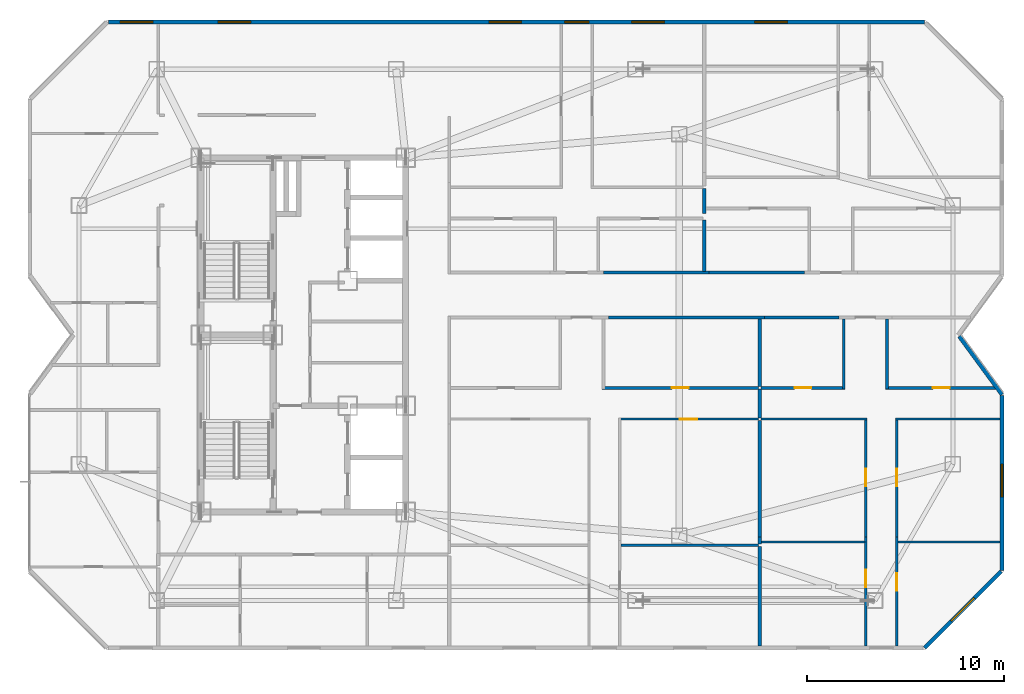
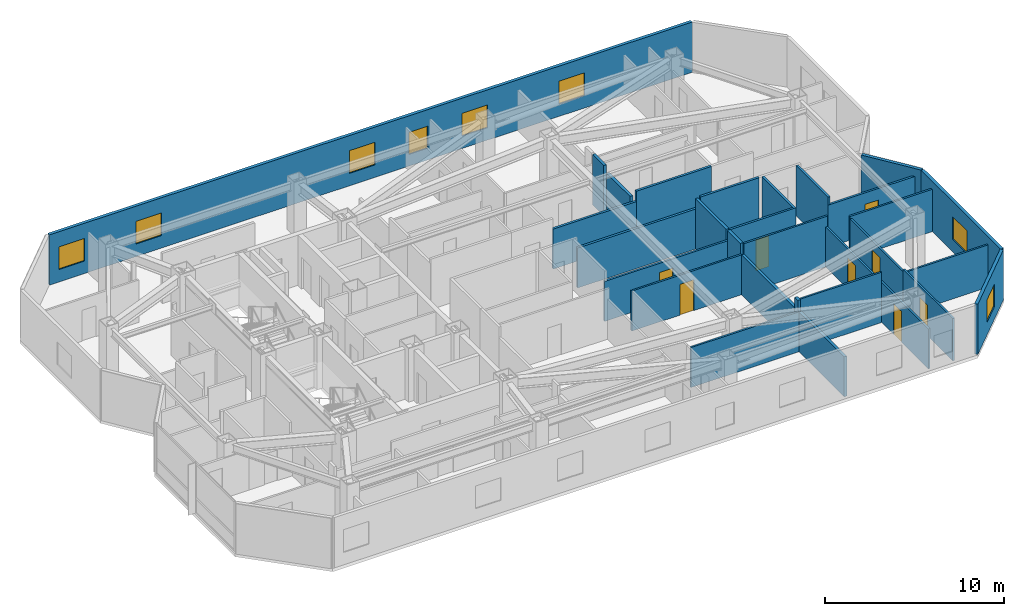
# One storey, part 11 of 14: 30 walls, 8 doors, 8 windows, 16 openings.
"""IFC4 building model written with IfcOpenShell, lengths in metres."""

from ifc_helpers import new_model, si_unit, direction, frame, frame_2d, origin, place, context, subcontext, project, spatial, rectangle, extrude, material, layer, layer_set, type_object, element, fill, save


model = new_model("IFC4")

# Units and contexts
model_context = context("Model", 3, precision=1e-05, world=origin(), true_north=direction((0.0, 1.0)))
body_context = subcontext(model_context, "Body", "Model", "MODEL_VIEW")
ifc_project = project(units=[si_unit("LENGTHUNIT", "METRE"), si_unit("AREAUNIT", "SQUARE_METRE"), si_unit("VOLUMEUNIT", "CUBIC_METRE"), si_unit("PLANEANGLEUNIT", "RADIAN"), si_unit("MASSUNIT", "GRAM", prefix="KILO")], contexts=[model_context])

# Site, building, storey
site_placement = place(None, origin())
site = spatial("IfcSite", under=ifc_project, at=site_placement, CompositionType="ELEMENT")
building_placement = place(site_placement, origin())
building = spatial("IfcBuilding", under=site, at=building_placement, Name="Khamvora Tower", CompositionType="ELEMENT")
storey_placement = place(building_placement, frame((0.0, 0.0, 242.75)))
storey = spatial("IfcBuildingStorey", under=building, at=storey_placement, Name="L62", CompositionType="ELEMENT", Elevation=242.75)

# Walls
ifc_material_1 = material(Name="Fire-Rated Drywall and Steel Stud", Category="steel")
ifc_layer_1 = layer(ifc_material_1, 0.14990234375)
ifc_layer_set_1 = layer_set([ifc_layer_1], Name="Fire-Rated Drywall and Steel Stud")
wall_type_1 = type_object("IfcWallType", Name="WAL-CORR-150", PredefinedType="STANDARD", material=ifc_layer_set_1)
wall_1_placement = place(storey_placement, frame((57.634033203125, 28.885009765625, 0.0), z_axis=(0.0, 0.0, 1.0), x_axis=(-1.0, 0.0, 0.0)))
element("IfcWall", 1, at=wall_1_placement, inside=storey, type_object=wall_type_1, Name="L62 interior partition wall 024", PredefinedType="STANDARD", context=body_context, shape_type="SweptSolid", body=[
    extrude(rectangle(XDim=7.93505859375, YDim=0.14990234375, at=frame_2d((3.967529296875, 0.0))), origin(), (0.0, 0.0, 1.0), 2.72509765625),
])
wall_2_placement = place(storey_placement, frame((61.407958984375, 28.885009765625, 0.0), z_axis=(0.0, 0.0, 1.0), x_axis=(-1.0, 0.0, 0.0)))
element("IfcWall", 2, at=wall_2_placement, inside=storey, type_object=wall_type_1, Name="L62 interior partition wall 028", PredefinedType="STANDARD", context=body_context, shape_type="SweptSolid", body=[
    extrude(rectangle(XDim=3.77392578125, YDim=0.14990234375, at=frame_2d((1.886962890625, 0.0))), origin(), (0.0, 0.0, 1.0), 3.429931640625),
])
wall_3_placement = place(storey_placement, frame((49.43896484375, 31.1650390625, 0.0), z_axis=(0.0, 0.0, 1.0), x_axis=(1.0, 0.0, 0.0)))
element("IfcWall", 3, at=wall_3_placement, inside=storey, type_object=wall_type_1, Name="L62 interior partition wall 034", PredefinedType="STANDARD", context=body_context, shape_type="SweptSolid", body=[
    extrude(rectangle(XDim=5.375, YDim=0.14990234375, at=frame_2d((2.6875, 0.0))), origin(), (0.0, 0.0, 1.0), 2.72509765625),
])
wall_4_placement = place(storey_placement, frame((54.81396484375, 31.1650390625, 0.0), z_axis=(0.0, 0.0, 1.0), x_axis=(1.0, 0.0, 0.0)))
element("IfcWall", 4, at=wall_4_placement, inside=storey, type_object=wall_type_1, Name="L62 interior partition wall 037", PredefinedType="STANDARD", context=body_context, shape_type="SweptSolid", body=[
    extrude(rectangle(XDim=4.846923828125, YDim=0.14990234375, at=frame_2d((2.42333984375, 0.0))), origin(), (0.0, 0.0, 1.0), 3.429931640625),
])
ifc_material_2 = material(Name="Acoustic Double-Stud Fire Wall", Category="gypsum")
ifc_layer_2 = layer(ifc_material_2, 0.179931640625)
ifc_layer_set_2 = layer_set([ifc_layer_2], Name="Acoustic Double-Stud Fire Wall")
wall_type_2 = type_object("IfcWallType", Name="WAL-CORR-180", PredefinedType="STANDARD", material=ifc_layer_set_2)
wall_5_placement = place(storey_placement, frame((57.385009765625, 25.239990234375, 0.0), z_axis=(0.0, 0.0, 1.0), x_axis=(0.0, -1.0, 0.0)))
element("IfcWall", 5, at=wall_5_placement, inside=storey, type_object=wall_type_2, Name="L62 interior partition wall 067", PredefinedType="STANDARD", context=body_context, shape_type="SweptSolid", body=[
    extrude(rectangle(XDim=1.449951171875, YDim=0.179931640625, at=frame_2d((0.72509765625, 0.0))), origin(), (0.0, 0.0, 1.0), 3.429931640625),
])
wall_6_placement = place(storey_placement, frame((57.385009765625, 28.820068359375, 0.0), z_axis=(0.0, 0.0, 1.0), x_axis=(0.0, -1.0, 0.0)))
element("IfcWall", 6, at=wall_6_placement, inside=storey, type_object=wall_type_2, Name="L62 interior partition wall 068", PredefinedType="STANDARD", context=body_context, shape_type="SweptSolid", body=[
    extrude(rectangle(XDim=3.449951171875, YDim=0.179931640625, at=frame_2d((1.72509765625, 0.0))), origin(), (0.0, 0.0, 1.0), 3.429931640625),
])
wall_7_placement = place(storey_placement, frame((57.385009765625, 17.248046875, 0.0), z_axis=(0.0, 0.0, 1.0), x_axis=(0.0, -1.0, 0.0)))
element("IfcWall", 7, at=wall_7_placement, inside=storey, type_object=wall_type_2, Name="L62 interior partition wall 071", PredefinedType="STANDARD", context=body_context, shape_type="SweptSolid", body=[
    extrude(rectangle(XDim=5.05615234375, YDim=0.179931640625, at=frame_2d((2.528076171875, 0.0))), origin(), (0.0, 0.0, 1.0), 2.72509765625),
])
wall_8_placement = place(storey_placement, frame((57.385009765625, 17.72412109375, 0.0), z_axis=(0.0, 0.0, 1.0), x_axis=(0.0, -1.0, 0.0)))
element("IfcWall", 8, at=wall_8_placement, inside=storey, type_object=wall_type_2, Name="L62 interior partition wall 072", PredefinedType="STANDARD", context=body_context, shape_type="SweptSolid", body=[
    extrude(rectangle(XDim=0.34619140625, YDim=0.179931640625, at=frame_2d((0.173095703125, 0.0))), origin(), (0.0, 0.0, 1.0), 3.429931640625),
])
wall_9_placement = place(storey_placement, frame((57.385009765625, 23.659912109375, 0.0), z_axis=(0.0, 0.0, 1.0), x_axis=(0.0, -1.0, 0.0)))
element("IfcWall", 9, at=wall_9_placement, inside=storey, type_object=wall_type_2, Name="L62 interior partition wall 073", PredefinedType="STANDARD", context=body_context, shape_type="SweptSolid", body=[
    extrude(rectangle(XDim=5.935791015625, YDim=0.179931640625, at=frame_2d((2.9677734375, 0.0))), origin(), (0.0, 0.0, 1.0), 2.72509765625),
])
wall_10_placement = place(storey_placement, frame((54.56494140625, 35.428955078125, 0.0), z_axis=(0.0, 0.0, 1.0), x_axis=(0.0, -1.0, 0.0)))
element("IfcWall", 10, at=wall_10_placement, inside=storey, type_object=wall_type_2, Name="L62 interior partition wall 094", PredefinedType="STANDARD", context=body_context, shape_type="SweptSolid", body=[
    extrude(rectangle(XDim=1.25390625, YDim=0.179931640625, at=frame_2d((0.626953125, 0.0))), origin(), (0.0, 0.0, 1.0), 3.429931640625),
])
wall_11_placement = place(storey_placement, frame((54.56494140625, 33.84912109375, 0.0), z_axis=(0.0, 0.0, 1.0), x_axis=(0.0, -1.0, 0.0)))
element("IfcWall", 11, at=wall_11_placement, inside=storey, type_object=wall_type_2, Name="L62 interior partition wall 095", PredefinedType="STANDARD", context=body_context, shape_type="SweptSolid", body=[
    extrude(rectangle(XDim=2.619140625, YDim=0.179931640625, at=frame_2d((1.3095703125, 0.0))), origin(), (0.0, 0.0, 1.0), 3.10693359375),
])

# Wall, openings, windows
ifc_material_3 = material(Name="Precast concrete C40/50", Category="concrete")
ifc_layer_3 = layer(ifc_material_3, 0.199951171875)
ifc_layer_set_3 = layer_set([ifc_layer_3], Name="Precast concrete C40/50")
wall_type_3 = type_object("IfcWallType", Name="WAL-EXT-200", PredefinedType="STANDARD", material=ifc_layer_set_3)
wall_12_placement = place(storey_placement, frame((24.302001953125, 43.89990234375, 0.0), z_axis=(0.0, 0.0, 1.0), x_axis=(1.0, 0.0, 0.0)))
wall_12 = element("IfcWall", 12, at=wall_12_placement, inside=storey, type_object=wall_type_3, Name="L62 exterior facade wall 07.1", PredefinedType="STANDARD", context=body_context, shape_type="SweptSolid", body=[
    extrude(rectangle(XDim=41.45703125, YDim=0.199951171875, at=frame_2d((20.728515625, 0.0))), origin(), (0.0, 0.0, 1.0), 3.429931640625),
])
opening_1_placement = place(wall_12_placement, frame((5.572998046875, 0.0, 0.85009765625)))
opening_1 = element("IfcOpeningElement", 13, at=opening_1_placement, cuts=wall_12, Name="Opening WN-06", PredefinedType="OPENING", context=body_context, shape_type="SweptSolid", body=[
    extrude(rectangle(XDim=1.64990234375, YDim=1.550048828125, at=frame_2d((0.824951171875, 0.77490234375))), frame((0.0, 0.10986328125, 0.0), z_axis=(0.0, -1.0, 0.0), x_axis=(1.0, 0.0, 0.0)), (0.0, 0.0, 1.0), 0.219970703125),
])
opening_2_placement = place(wall_12_placement, frame((0.60400390625, 0.0, 0.85009765625)))
opening_2 = element("IfcOpeningElement", 14, at=opening_2_placement, cuts=wall_12, Name="Opening WN-06", PredefinedType="OPENING", context=body_context, shape_type="SweptSolid", body=[
    extrude(rectangle(XDim=1.64990234375, YDim=1.550048828125, at=frame_2d((0.824951171875, 0.77490234375))), frame((0.0, 0.10986328125, 0.0), z_axis=(0.0, -1.0, 0.0), x_axis=(1.0, 0.0, 0.0)), (0.0, 0.0, 1.0), 0.219970703125),
])
opening_3_placement = place(wall_12_placement, frame((23.18798828125, 0.0, 0.800048828125)))
opening_3 = element("IfcOpeningElement", 15, at=opening_3_placement, cuts=wall_12, Name="Opening WN-03", PredefinedType="OPENING", context=body_context, shape_type="SweptSolid", body=[
    extrude(rectangle(XDim=1.199951171875, YDim=1.5, at=frame_2d((0.60009765625, 0.75))), frame((0.0, 0.10986328125, 0.0), z_axis=(0.0, -1.0, 0.0), x_axis=(1.0, 0.0, 0.0)), (0.0, 0.0, 1.0), 0.219970703125),
])
opening_4_placement = place(wall_12_placement, frame((19.3330078125, 0.0, 0.85009765625)))
opening_4 = element("IfcOpeningElement", 16, at=opening_4_placement, cuts=wall_12, Name="Opening WN-06", PredefinedType="OPENING", context=body_context, shape_type="SweptSolid", body=[
    extrude(rectangle(XDim=1.64990234375, YDim=1.550048828125, at=frame_2d((0.824951171875, 0.77490234375))), frame((0.0, 0.10986328125, 0.0), z_axis=(0.0, -1.0, 0.0), x_axis=(1.0, 0.0, 0.0)), (0.0, 0.0, 1.0), 0.219970703125),
])
opening_5_placement = place(wall_12_placement, frame((26.593017578125, 0.0, 0.85009765625)))
opening_5 = element("IfcOpeningElement", 17, at=opening_5_placement, cuts=wall_12, Name="Opening WN-06", PredefinedType="OPENING", context=body_context, shape_type="SweptSolid", body=[
    extrude(rectangle(XDim=1.64990234375, YDim=1.550048828125, at=frame_2d((0.824951171875, 0.77490234375))), frame((0.0, 0.10986328125, 0.0), z_axis=(0.0, -1.0, 0.0), x_axis=(1.0, 0.0, 0.0)), (0.0, 0.0, 1.0), 0.219970703125),
])
opening_6_placement = place(wall_12_placement, frame((32.843017578125, 0.0, 0.85009765625)))
opening_6 = element("IfcOpeningElement", 18, at=opening_6_placement, cuts=wall_12, Name="Opening WN-06", PredefinedType="OPENING", context=body_context, shape_type="SweptSolid", body=[
    extrude(rectangle(XDim=1.64990234375, YDim=1.550048828125, at=frame_2d((0.824951171875, 0.77490234375))), frame((0.0, 0.10986328125, 0.0), z_axis=(0.0, -1.0, 0.0), x_axis=(1.0, 0.0, 0.0)), (0.0, 0.0, 1.0), 0.219970703125),
])
ifc_material_4 = material(Name="Low-E Laminated Double Glazing", Category="glass")
window_type_1 = type_object("IfcWindowType", Name="WIN-VIS-1200x1500", PartitioningType="SINGLE_PANEL", PredefinedType="WINDOW", material=ifc_material_4)
window_1_placement = place(opening_3_placement, origin())
window_1 = element("IfcWindow", 19, at=window_1_placement, inside=storey, type_object=window_type_1, Name="L62 vision window 07.1.03", OverallHeight=1.5, OverallWidth=1.199951171875, PartitioningType="SINGLE_PANEL", PredefinedType="WINDOW", context=body_context, shape_type="SweptSolid", body=[
    extrude(rectangle(XDim=1.199951171875, YDim=1.5, at=frame_2d((0.60009765625, 0.75))), frame((0.0, 0.030029296875, 0.0), z_axis=(0.0, -1.0, 0.0), x_axis=(1.0, 0.0, 0.0)), (0.0, 0.0, 1.0), 0.06005859375),
])
fill(opening_3, window_1)
window_type_2 = type_object("IfcWindowType", Name="WIN-VIS-1650x1550", PartitioningType="SINGLE_PANEL", PredefinedType="WINDOW", material=ifc_material_4)
window_2_placement = place(opening_1_placement, origin())
window_2 = element("IfcWindow", 20, at=window_2_placement, inside=storey, type_object=window_type_2, Name="L62 vision window 07.1.01", OverallHeight=1.550048828125, OverallWidth=1.64990234375, PartitioningType="SINGLE_PANEL", PredefinedType="WINDOW", context=body_context, shape_type="SweptSolid", body=[
    extrude(rectangle(XDim=1.64990234375, YDim=1.550048828125, at=frame_2d((0.824951171875, 0.77490234375))), frame((0.0, 0.030029296875, 0.0), z_axis=(0.0, -1.0, 0.0), x_axis=(1.0, 0.0, 0.0)), (0.0, 0.0, 1.0), 0.06005859375),
])
fill(opening_1, window_2)
window_3_placement = place(opening_2_placement, origin())
window_3 = element("IfcWindow", 21, at=window_3_placement, inside=storey, type_object=window_type_2, Name="L62 vision window 07.1.02", OverallHeight=1.550048828125, OverallWidth=1.64990234375, PartitioningType="SINGLE_PANEL", PredefinedType="WINDOW", context=body_context, shape_type="SweptSolid", body=[
    extrude(rectangle(XDim=1.64990234375, YDim=1.550048828125, at=frame_2d((0.824951171875, 0.77490234375))), frame((0.0, 0.030029296875, 0.0), z_axis=(0.0, -1.0, 0.0), x_axis=(1.0, 0.0, 0.0)), (0.0, 0.0, 1.0), 0.06005859375),
])
fill(opening_2, window_3)
window_4_placement = place(opening_4_placement, origin())
window_4 = element("IfcWindow", 22, at=window_4_placement, inside=storey, type_object=window_type_2, Name="L62 vision window 07.1.04", OverallHeight=1.550048828125, OverallWidth=1.64990234375, PartitioningType="SINGLE_PANEL", PredefinedType="WINDOW", context=body_context, shape_type="SweptSolid", body=[
    extrude(rectangle(XDim=1.64990234375, YDim=1.550048828125, at=frame_2d((0.824951171875, 0.77490234375))), frame((0.0, 0.030029296875, 0.0), z_axis=(0.0, -1.0, 0.0), x_axis=(1.0, 0.0, 0.0)), (0.0, 0.0, 1.0), 0.06005859375),
])
fill(opening_4, window_4)
window_5_placement = place(opening_5_placement, origin())
window_5 = element("IfcWindow", 23, at=window_5_placement, inside=storey, type_object=window_type_2, Name="L62 vision window 07.1.05", OverallHeight=1.550048828125, OverallWidth=1.64990234375, PartitioningType="SINGLE_PANEL", PredefinedType="WINDOW", context=body_context, shape_type="SweptSolid", body=[
    extrude(rectangle(XDim=1.64990234375, YDim=1.550048828125, at=frame_2d((0.824951171875, 0.77490234375))), frame((0.0, 0.030029296875, 0.0), z_axis=(0.0, -1.0, 0.0), x_axis=(1.0, 0.0, 0.0)), (0.0, 0.0, 1.0), 0.06005859375),
])
fill(opening_5, window_5)
window_6_placement = place(opening_6_placement, origin())
window_6 = element("IfcWindow", 24, at=window_6_placement, inside=storey, type_object=window_type_2, Name="L62 vision window 07.1.06", OverallHeight=1.550048828125, OverallWidth=1.64990234375, PartitioningType="SINGLE_PANEL", PredefinedType="WINDOW", context=body_context, shape_type="SweptSolid", body=[
    extrude(rectangle(XDim=1.64990234375, YDim=1.550048828125, at=frame_2d((0.824951171875, 0.77490234375))), frame((0.0, 0.030029296875, 0.0), z_axis=(0.0, -1.0, 0.0), x_axis=(1.0, 0.0, 0.0)), (0.0, 0.0, 1.0), 0.06005859375),
])
fill(opening_6, window_6)

# Wall
wall_13_placement = place(storey_placement, frame((67.527099609375, 27.930908203125, 0.0), z_axis=(0.0, 0.0, 1.0), x_axis=(0.591248456881, -0.80648946815, 0.0)))
element("IfcWall", 25, at=wall_13_placement, inside=storey, type_object=wall_type_3, Name="L62 exterior facade wall 11.1", PredefinedType="STANDARD", context=body_context, shape_type="SweptSolid", body=[
    extrude(rectangle(XDim=3.675048828125, YDim=0.199951171875, at=frame_2d((1.83740234375, 0.0))), origin(), (0.0, 0.0, 1.0), 3.429931640625),
])

# Wall, opening, window
wall_14_placement = place(storey_placement, frame((69.699951171875, 24.916015625, 0.0), z_axis=(0.0, 0.0, 1.0), x_axis=(0.0, -1.0, 0.0)))
wall_14 = element("IfcWall", 26, at=wall_14_placement, inside=storey, type_object=wall_type_3, Name="L62 exterior facade wall 12.1", PredefinedType="STANDARD", context=body_context, shape_type="SweptSolid", body=[
    extrude(rectangle(XDim=8.875, YDim=0.199951171875, at=frame_2d((4.4375, 0.0))), origin(), (0.0, 0.0, 1.0), 3.429931640625),
])
opening_7_placement = place(wall_14_placement, frame((3.490966796875, 0.0, 0.85009765625)))
opening_7 = element("IfcOpeningElement", 27, at=opening_7_placement, cuts=wall_14, Name="Opening WN-06", PredefinedType="OPENING", context=body_context, shape_type="SweptSolid", body=[
    extrude(rectangle(XDim=1.64990234375, YDim=1.550048828125, at=frame_2d((0.824951171875, 0.77490234375))), frame((0.0, 0.10986328125, 0.0), z_axis=(0.0, -1.0, 0.0), x_axis=(1.0, 0.0, 0.0)), (0.0, 0.0, 1.0), 0.219970703125),
])
window_7_placement = place(opening_7_placement, origin())
window_7 = element("IfcWindow", 28, at=window_7_placement, inside=storey, type_object=window_type_2, Name="L62 vision window 12.1.01", OverallHeight=1.550048828125, OverallWidth=1.64990234375, PartitioningType="SINGLE_PANEL", PredefinedType="WINDOW", context=body_context, shape_type="SweptSolid", body=[
    extrude(rectangle(XDim=1.64990234375, YDim=1.550048828125, at=frame_2d((0.824951171875, 0.77490234375))), frame((0.0, 0.030029296875, 0.0), z_axis=(0.0, -1.0, 0.0), x_axis=(1.0, 0.0, 0.0)), (0.0, 0.0, 1.0), 0.06005859375),
])
fill(opening_7, window_7)

wall_15_placement = place(storey_placement, frame((69.655029296875, 15.99609375, 0.0), z_axis=(0.0, 0.0, 1.0), x_axis=(-0.707106781187, -0.707106781187, 0.0)))
wall_15 = element("IfcWall", 29, at=wall_15_placement, inside=storey, type_object=wall_type_3, Name="L62 exterior facade wall 13.1", PredefinedType="STANDARD", context=body_context, shape_type="SweptSolid", body=[
    extrude(rectangle(XDim=5.509765625, YDim=0.199951171875, at=frame_2d((2.7548828125, 0.0))), origin(), (0.0, 0.0, 1.0), 3.429931640625),
])
opening_8_placement = place(wall_15_placement, frame((1.929931640625, 0.0, 0.85009765625)))
opening_8 = element("IfcOpeningElement", 30, at=opening_8_placement, cuts=wall_15, Name="Opening WN-06", PredefinedType="OPENING", context=body_context, shape_type="SweptSolid", body=[
    extrude(rectangle(XDim=1.64990234375, YDim=1.550048828125, at=frame_2d((0.824951171875, 0.77490234375))), frame((0.0, 0.10986328125, 0.0), z_axis=(0.0, -1.0, 0.0), x_axis=(1.0, 0.0, 0.0)), (0.0, 0.0, 1.0), 0.219970703125),
])
window_8_placement = place(opening_8_placement, origin())
window_8 = element("IfcWindow", 31, at=window_8_placement, inside=storey, type_object=window_type_2, Name="L62 vision window 13.1.01", OverallHeight=1.550048828125, OverallWidth=1.64990234375, PartitioningType="SINGLE_PANEL", PredefinedType="WINDOW", context=body_context, shape_type="SweptSolid", body=[
    extrude(rectangle(XDim=1.64990234375, YDim=1.550048828125, at=frame_2d((0.824951171875, 0.77490234375))), frame((0.0, 0.030029296875, 0.0), z_axis=(0.0, -1.0, 0.0), x_axis=(1.0, 0.0, 0.0)), (0.0, 0.0, 1.0), 0.06005859375),
])
fill(opening_8, window_8)

# Wall, opening, door
ifc_material_5 = material(Name="Gypsum Plasterboard Partition", Category="gypsum")
ifc_layer_4 = layer(ifc_material_5, 0.1201171875)
ifc_layer_set_4 = layer_set([ifc_layer_4], Name="Gypsum Plasterboard Partition")
wall_type_4 = type_object("IfcWallType", Name="WAL-PART-120", PredefinedType="PARTITIONING", material=ifc_layer_set_4)
wall_16_placement = place(storey_placement, frame((57.320068359375, 23.72509765625, 0.0), z_axis=(0.0, 0.0, 1.0), x_axis=(-1.0, 0.0, 0.0)))
wall_16 = element("IfcWall", 32, at=wall_16_placement, inside=storey, type_object=wall_type_4, Name="L62 interior partition wall 065", PredefinedType="PARTITIONING", context=body_context, shape_type="SweptSolid", body=[
    extrude(rectangle(XDim=7.10009765625, YDim=0.1201171875, at=frame_2d((3.550048828125, 0.0))), origin(), (0.0, 0.0, 1.0), 2.72509765625),
])
opening_9_placement = place(wall_16_placement, frame((3.10009765625, 0.0, 0.0)))
opening_9 = element("IfcOpeningElement", 33, at=opening_9_placement, cuts=wall_16, Name="Opening D-RM1", PredefinedType="OPENING", context=body_context, shape_type="SweptSolid", body=[
    extrude(rectangle(XDim=0.89990234375, YDim=2.10009765625, at=frame_2d((0.449951171875, 1.050048828125))), frame((0.0, 0.070068359375, 0.0), z_axis=(0.0, -1.0, 0.0), x_axis=(1.0, 0.0, 0.0)), (0.0, 0.0, 1.0), 0.14013671875),
])
ifc_material_6 = material(Name="Powder-Coated Steel and Hardwood Leaf", Category="steel")
door_type_1 = type_object("IfcDoorType", Name="DOR-ROOM-900", OperationType="NOTDEFINED", PredefinedType="DOOR", material=ifc_material_6)
door_1_placement = place(opening_9_placement, origin())
door_1 = element("IfcDoor", 34, at=door_1_placement, inside=storey, type_object=door_type_1, Name="L62 interior door 62EAH-62EAR4", OperationType="SINGLE_SWING_LEFT", OverallHeight=2.10009765625, OverallWidth=0.89990234375, PredefinedType="DOOR", context=body_context, shape_type="SweptSolid", body=[
    extrude(rectangle(XDim=0.89990234375, YDim=2.10009765625, at=frame_2d((0.449951171875, 1.050048828125))), frame((0.0, 0.02490234375, 0.0), z_axis=(0.0, -1.0, 0.0), x_axis=(1.0, 0.0, 0.0)), (0.0, 0.0, 1.0), 0.050048828125),
])
fill(opening_9, door_1)

# Wall
wall_17_placement = place(storey_placement, frame((50.339111328125, 17.31298828125, 0.0), z_axis=(0.0, 0.0, 1.0), x_axis=(1.0, 0.0, 0.0)))
element("IfcWall", 35, at=wall_17_placement, inside=storey, type_object=wall_type_4, Name="L62 interior partition wall 070", PredefinedType="PARTITIONING", context=body_context, shape_type="SweptSolid", body=[
    extrude(rectangle(XDim=6.98095703125, YDim=0.1201171875, at=frame_2d((3.490478515625, 0.0))), origin(), (0.0, 0.0, 1.0), 2.72509765625),
])

# Wall, opening, door
wall_18_placement = place(storey_placement, frame((62.784912109375, 12.19189453125, 0.0), z_axis=(0.0, 0.0, 1.0), x_axis=(0.0, 1.0, 0.0)))
wall_18 = element("IfcWall", 36, at=wall_18_placement, inside=storey, type_object=wall_type_4, Name="L62 interior partition wall 078", PredefinedType="PARTITIONING", context=body_context, shape_type="SweptSolid", body=[
    extrude(rectangle(XDim=5.5322265625, YDim=0.1201171875, at=frame_2d((2.76611328125, 0.0))), origin(), (0.0, 0.0, 1.0), 2.72509765625),
])
opening_10_placement = place(wall_18_placement, frame((2.97998046875, 0.0, 0.0)))
opening_10 = element("IfcOpeningElement", 37, at=opening_10_placement, cuts=wall_18, Name="Opening D-RM1", PredefinedType="OPENING", context=body_context, shape_type="SweptSolid", body=[
    extrude(rectangle(XDim=0.89990234375, YDim=2.10009765625, at=frame_2d((0.449951171875, 1.050048828125))), frame((0.0, 0.070068359375, 0.0), z_axis=(0.0, -1.0, 0.0), x_axis=(1.0, 0.0, 0.0)), (0.0, 0.0, 1.0), 0.14013671875),
])
door_2_placement = place(opening_10_placement, origin())
door_2 = element("IfcDoor", 38, at=door_2_placement, inside=storey, type_object=door_type_1, Name="L62 interior door 62EBH-62EBL", OperationType="SINGLE_SWING_RIGHT", OverallHeight=2.10009765625, OverallWidth=0.89990234375, PredefinedType="DOOR", context=body_context, shape_type="SweptSolid", body=[
    extrude(rectangle(XDim=0.89990234375, YDim=2.10009765625, at=frame_2d((0.449951171875, 1.050048828125))), frame((0.0, 0.02490234375, 0.0), z_axis=(0.0, -1.0, 0.0), x_axis=(1.0, 0.0, 0.0)), (0.0, 0.0, 1.0), 0.050048828125),
])
fill(opening_10, door_2)

wall_19_placement = place(storey_placement, frame((62.784912109375, 17.72412109375, 0.0), z_axis=(0.0, 0.0, 1.0), x_axis=(0.0, 1.0, 0.0)))
wall_19 = element("IfcWall", 39, at=wall_19_placement, inside=storey, type_object=wall_type_4, Name="L62 interior partition wall 079", PredefinedType="PARTITIONING", context=body_context, shape_type="SweptSolid", body=[
    extrude(rectangle(XDim=6.06591796875, YDim=0.1201171875, at=frame_2d((3.032958984375, 0.0))), origin(), (0.0, 0.0, 1.0), 2.72509765625),
])
opening_11_placement = place(wall_19_placement, frame((2.5830078125, 0.0, 0.0)))
opening_11 = element("IfcOpeningElement", 40, at=opening_11_placement, cuts=wall_19, Name="Opening D-RM1", PredefinedType="OPENING", context=body_context, shape_type="SweptSolid", body=[
    extrude(rectangle(XDim=0.89990234375, YDim=2.10009765625, at=frame_2d((0.449951171875, 1.050048828125))), frame((0.0, 0.070068359375, 0.0), z_axis=(0.0, -1.0, 0.0), x_axis=(1.0, 0.0, 0.0)), (0.0, 0.0, 1.0), 0.14013671875),
])
door_3_placement = place(opening_11_placement, origin())
door_3 = element("IfcDoor", 41, at=door_3_placement, inside=storey, type_object=door_type_1, Name="L62 interior door 62EBH-62EBR2", OperationType="SINGLE_SWING_LEFT", OverallHeight=2.10009765625, OverallWidth=0.89990234375, PredefinedType="DOOR", context=body_context, shape_type="SweptSolid", body=[
    extrude(rectangle(XDim=0.89990234375, YDim=2.10009765625, at=frame_2d((0.449951171875, 1.050048828125))), frame((0.0, 0.02490234375, 0.0), z_axis=(0.0, -1.0, 0.0), x_axis=(1.0, 0.0, 0.0)), (0.0, 0.0, 1.0), 0.050048828125),
])
fill(opening_11, door_3)

# Wall
wall_20_placement = place(storey_placement, frame((62.85009765625, 23.72509765625, 0.0), z_axis=(0.0, 0.0, 1.0), x_axis=(-1.0, 0.0, 0.0)))
element("IfcWall", 42, at=wall_20_placement, inside=storey, type_object=wall_type_4, Name="L62 interior partition wall 080", PredefinedType="PARTITIONING", context=body_context, shape_type="SweptSolid", body=[
    extrude(rectangle(XDim=5.400146484375, YDim=0.1201171875, at=frame_2d((2.7001953125, 0.0))), origin(), (0.0, 0.0, 1.0), 3.429931640625),
])

# Wall, opening, door
wall_21_placement = place(storey_placement, frame((64.35498046875, 17.72412109375, 0.0), z_axis=(0.0, 0.0, 1.0), x_axis=(0.0, -1.0, 0.0)))
wall_21 = element("IfcWall", 43, at=wall_21_placement, inside=storey, type_object=wall_type_4, Name="L62 interior partition wall 081", PredefinedType="PARTITIONING", context=body_context, shape_type="SweptSolid", body=[
    extrude(rectangle(XDim=5.5322265625, YDim=0.1201171875, at=frame_2d((2.76611328125, 0.0))), origin(), (0.0, 0.0, 1.0), 2.886962890625),
])
opening_12_placement = place(wall_21_placement, frame((1.822998046875, 0.0, 0.0)))
opening_12 = element("IfcOpeningElement", 44, at=opening_12_placement, cuts=wall_21, Name="Opening D-RM1", PredefinedType="OPENING", context=body_context, shape_type="SweptSolid", body=[
    extrude(rectangle(XDim=0.89990234375, YDim=2.10009765625, at=frame_2d((0.449951171875, 1.050048828125))), frame((0.0, 0.070068359375, 0.0), z_axis=(0.0, -1.0, 0.0), x_axis=(1.0, 0.0, 0.0)), (0.0, 0.0, 1.0), 0.14013671875),
])
door_4_placement = place(opening_12_placement, origin())
door_4 = element("IfcDoor", 45, at=door_4_placement, inside=storey, type_object=door_type_1, Name="L62 interior door 62EBH-62EBR3", OperationType="SINGLE_SWING_LEFT", OverallHeight=2.10009765625, OverallWidth=0.89990234375, PredefinedType="DOOR", context=body_context, shape_type="SweptSolid", body=[
    extrude(rectangle(XDim=0.89990234375, YDim=2.10009765625, at=frame_2d((0.449951171875, 1.050048828125))), frame((0.0, 0.02490234375, 0.0), z_axis=(0.0, -1.0, 0.0), x_axis=(1.0, 0.0, 0.0)), (0.0, 0.0, 1.0), 0.050048828125),
])
fill(opening_12, door_4)

wall_22_placement = place(storey_placement, frame((64.35498046875, 23.7900390625, 0.0), z_axis=(0.0, 0.0, 1.0), x_axis=(0.0, -1.0, 0.0)))
wall_22 = element("IfcWall", 46, at=wall_22_placement, inside=storey, type_object=wall_type_4, Name="L62 interior partition wall 082", PredefinedType="PARTITIONING", context=body_context, shape_type="SweptSolid", body=[
    extrude(rectangle(XDim=6.06591796875, YDim=0.1201171875, at=frame_2d((3.032958984375, 0.0))), origin(), (0.0, 0.0, 1.0), 2.72509765625),
])
opening_13_placement = place(wall_22_placement, frame((2.5830078125, 0.0, 0.0)))
opening_13 = element("IfcOpeningElement", 47, at=opening_13_placement, cuts=wall_22, Name="Opening D-RM1", PredefinedType="OPENING", context=body_context, shape_type="SweptSolid", body=[
    extrude(rectangle(XDim=0.89990234375, YDim=2.10009765625, at=frame_2d((0.449951171875, 1.050048828125))), frame((0.0, 0.070068359375, 0.0), z_axis=(0.0, -1.0, 0.0), x_axis=(1.0, 0.0, 0.0)), (0.0, 0.0, 1.0), 0.14013671875),
])
door_5_placement = place(opening_13_placement, origin())
door_5 = element("IfcDoor", 48, at=door_5_placement, inside=storey, type_object=door_type_1, Name="L62 interior door 62EBH-62EBR4", OperationType="SINGLE_SWING_RIGHT", OverallHeight=2.10009765625, OverallWidth=0.89990234375, PredefinedType="DOOR", context=body_context, shape_type="SweptSolid", body=[
    extrude(rectangle(XDim=0.89990234375, YDim=2.10009765625, at=frame_2d((0.449951171875, 1.050048828125))), frame((0.0, 0.02490234375, 0.0), z_axis=(0.0, -1.0, 0.0), x_axis=(1.0, 0.0, 0.0)), (0.0, 0.0, 1.0), 0.050048828125),
])
fill(opening_13, door_5)

# Walls
wall_23_placement = place(storey_placement, frame((69.60791015625, 23.72509765625, 0.0), z_axis=(0.0, 0.0, 1.0), x_axis=(-1.0, 0.0, 0.0)))
element("IfcWall", 49, at=wall_23_placement, inside=storey, type_object=wall_type_4, Name="L62 interior partition wall 083", PredefinedType="PARTITIONING", context=body_context, shape_type="SweptSolid", body=[
    extrude(rectangle(XDim=5.31787109375, YDim=0.1201171875, at=frame_2d((2.658935546875, 0.0))), origin(), (0.0, 0.0, 1.0), 2.886962890625),
])
wall_24_placement = place(storey_placement, frame((57.467041015625, 17.47509765625, 0.0), z_axis=(0.0, 0.0, 1.0), x_axis=(1.0, 0.0, 0.0)))
element("IfcWall", 50, at=wall_24_placement, inside=storey, type_object=wall_type_4, Name="L62 interior partition wall 084", PredefinedType="PARTITIONING", context=body_context, shape_type="SweptSolid", body=[
    extrude(rectangle(XDim=5.263916015625, YDim=0.1201171875, at=frame_2d((2.6318359375, 0.0))), origin(), (0.0, 0.0, 1.0), 3.429931640625),
])
wall_25_placement = place(storey_placement, frame((64.408935546875, 17.47509765625, 0.0), z_axis=(0.0, 0.0, 1.0), x_axis=(1.0, 0.0, 0.0)))
element("IfcWall", 51, at=wall_25_placement, inside=storey, type_object=wall_type_4, Name="L62 interior partition wall 085", PredefinedType="PARTITIONING", context=body_context, shape_type="SweptSolid", body=[
    extrude(rectangle(XDim=5.198974609375, YDim=0.1201171875, at=frame_2d((2.599609375, 0.0))), origin(), (0.0, 0.0, 1.0), 2.886962890625),
])

# Wall, opening, door
ifc_material_7 = material(Name="Moisture-Resistant Plasterboard Partition", Category="gypsum")
ifc_layer_5 = layer(ifc_material_7, 0.135009765625)
ifc_layer_set_5 = layer_set([ifc_layer_5], Name="Moisture-Resistant Plasterboard Partition")
wall_type_5 = type_object("IfcWallType", Name="WAL-WET-135", PredefinedType="PARTITIONING", material=ifc_layer_set_5)
wall_26_placement = place(storey_placement, frame((49.385009765625, 25.304931640625, 0.0), z_axis=(0.0, 0.0, 1.0), x_axis=(1.0, 0.0, 0.0)))
wall_26 = element("IfcWall", 52, at=wall_26_placement, inside=storey, type_object=wall_type_5, Name="L62 interior partition wall 060", PredefinedType="PARTITIONING", context=body_context, shape_type="SweptSolid", body=[
    extrude(rectangle(XDim=7.93505859375, YDim=0.135009765625, at=frame_2d((3.967529296875, 0.0))), origin(), (0.0, 0.0, 1.0), 2.72509765625),
])
opening_14_placement = place(wall_26_placement, frame((3.5419921875, 0.0, 0.0)))
opening_14 = element("IfcOpeningElement", 53, at=opening_14_placement, cuts=wall_26, Name="Opening D-RM2", PredefinedType="OPENING", context=body_context, shape_type="SweptSolid", body=[
    extrude(rectangle(XDim=0.85009765625, YDim=2.10009765625, at=frame_2d((0.425048828125, 1.050048828125))), frame((0.0, 0.077392578125, 0.0), z_axis=(0.0, -1.0, 0.0), x_axis=(1.0, 0.0, 0.0)), (0.0, 0.0, 1.0), 0.155029296875),
])
door_type_2 = type_object("IfcDoorType", Name="DOR-ROOM-850", OperationType="NOTDEFINED", PredefinedType="DOOR", material=ifc_material_6)
door_6_placement = place(opening_14_placement, origin())
door_6 = element("IfcDoor", 54, at=door_6_placement, inside=storey, type_object=door_type_2, Name="L62 interior door 62EAH-62EAK", OperationType="SINGLE_SWING_RIGHT", OverallHeight=2.10009765625, OverallWidth=0.85009765625, PredefinedType="DOOR", context=body_context, shape_type="SweptSolid", body=[
    extrude(rectangle(XDim=0.85009765625, YDim=2.10009765625, at=frame_2d((0.425048828125, 1.050048828125))), frame((0.0, 0.02490234375, 0.0), z_axis=(0.0, -1.0, 0.0), x_axis=(1.0, 0.0, 0.0)), (0.0, 0.0, 1.0), 0.050048828125),
])
fill(opening_14, door_6)

wall_27_placement = place(storey_placement, frame((57.449951171875, 25.304931640625, 0.0), z_axis=(0.0, 0.0, 1.0), x_axis=(1.0, 0.0, 0.0)))
wall_27 = element("IfcWall", 55, at=wall_27_placement, inside=storey, type_object=wall_type_5, Name="L62 interior partition wall 074", PredefinedType="PARTITIONING", context=body_context, shape_type="SweptSolid", body=[
    extrude(rectangle(XDim=4.27197265625, YDim=0.135009765625, at=frame_2d((2.135986328125, 0.0))), origin(), (0.0, 0.0, 1.0), 3.429931640625),
])
opening_15_placement = place(wall_27_placement, frame((1.7109375, 0.0, 0.0)))
opening_15 = element("IfcOpeningElement", 56, at=opening_15_placement, cuts=wall_27, Name="Opening D-WC1", PredefinedType="OPENING", context=body_context, shape_type="SweptSolid", body=[
    extrude(rectangle(XDim=0.85009765625, YDim=2.10009765625, at=frame_2d((0.425048828125, 1.050048828125))), frame((0.0, 0.077392578125, 0.0), z_axis=(0.0, -1.0, 0.0), x_axis=(1.0, 0.0, 0.0)), (0.0, 0.0, 1.0), 0.155029296875),
])
door_type_3 = type_object("IfcDoorType", Name="DOR-WET-850", OperationType="NOTDEFINED", PredefinedType="DOOR", material=ifc_material_6)
door_7_placement = place(opening_15_placement, origin())
door_7 = element("IfcDoor", 57, at=door_7_placement, inside=storey, type_object=door_type_3, Name="L62 interior door 62EBH-62EBB", OperationType="SINGLE_SWING_RIGHT", OverallHeight=2.10009765625, OverallWidth=0.85009765625, PredefinedType="DOOR", context=body_context, shape_type="SweptSolid", body=[
    extrude(rectangle(XDim=0.85009765625, YDim=2.10009765625, at=frame_2d((0.425048828125, 1.050048828125))), frame((0.0, 0.02490234375, 0.0), z_axis=(0.0, -1.0, 0.0), x_axis=(1.0, 0.0, 0.0)), (0.0, 0.0, 1.0), 0.050048828125),
])
fill(opening_15, door_7)

# Walls
for number, where, z_axis, x_axis, name in (
    (58, (61.656982421875, 25.239990234375, 0.0), (0.0, 0.0, 1.0), (0.0, 1.0, 0.0), "L62 interior partition wall 075"),
    (59, (63.85693359375, 28.820068359375, 0.0), (0.0, 0.0, 1.0), (0.0, -1.0, 0.0), "L62 interior partition wall 076"),
):
    element("IfcWall", number, at=place(storey_placement, frame(where, z_axis=z_axis, x_axis=x_axis)), inside=storey, type_object=wall_type_5, Name=name, PredefinedType="PARTITIONING", context=body_context, shape_type="SweptSolid", body=[
        extrude(rectangle(XDim=3.580078125, YDim=0.135009765625, at=frame_2d((1.7900390625, 0.0))), origin(), (0.0, 0.0, 1.0), 3.429931640625),
    ])

# Wall, opening, door
wall_28_placement = place(storey_placement, frame((63.7919921875, 25.304931640625, 0.0), z_axis=(0.0, 0.0, 1.0), x_axis=(1.0, 0.0, 0.0)))
wall_28 = element("IfcWall", 60, at=wall_28_placement, inside=storey, type_object=wall_type_5, Name="L62 interior partition wall 077", PredefinedType="PARTITIONING", context=body_context, shape_type="SweptSolid", body=[
    extrude(rectangle(XDim=5.633056640625, YDim=0.135009765625, at=frame_2d((2.81640625, 0.0))), origin(), (0.0, 0.0, 1.0), 2.886962890625),
])
opening_16_placement = place(wall_28_placement, frame((2.39208984375, 0.0, 0.0)))
opening_16 = element("IfcOpeningElement", 61, at=opening_16_placement, cuts=wall_28, Name="Opening D-RM2", PredefinedType="OPENING", context=body_context, shape_type="SweptSolid", body=[
    extrude(rectangle(XDim=0.85009765625, YDim=2.10009765625, at=frame_2d((0.425048828125, 1.050048828125))), frame((0.0, 0.077392578125, 0.0), z_axis=(0.0, -1.0, 0.0), x_axis=(1.0, 0.0, 0.0)), (0.0, 0.0, 1.0), 0.155029296875),
])
door_8_placement = place(opening_16_placement, origin())
door_8 = element("IfcDoor", 62, at=door_8_placement, inside=storey, type_object=door_type_2, Name="L62 interior door 62EBH-62EBK", OperationType="SINGLE_SWING_LEFT", OverallHeight=2.10009765625, OverallWidth=0.85009765625, PredefinedType="DOOR", context=body_context, shape_type="SweptSolid", body=[
    extrude(rectangle(XDim=0.85009765625, YDim=2.10009765625, at=frame_2d((0.425048828125, 1.050048828125))), frame((0.0, 0.02490234375, 0.0), z_axis=(0.0, -1.0, 0.0), x_axis=(1.0, 0.0, 0.0)), (0.0, 0.0, 1.0), 0.050048828125),
])
fill(opening_16, door_8)

save(model, "model.ifc")
